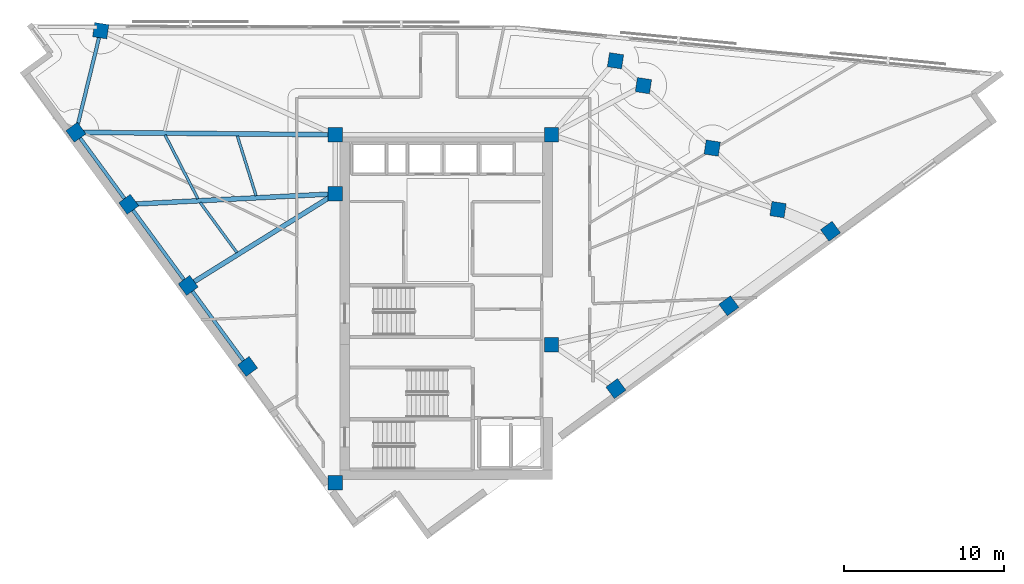
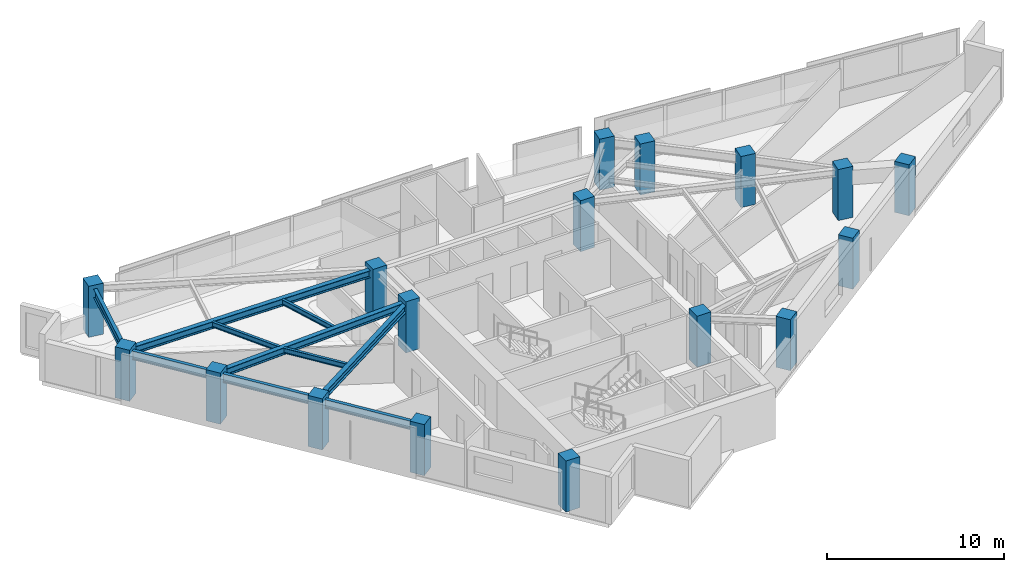
# One storey, part 1 of 13: 17 columns, 10 beams.
"""IFC4 building model written with IfcOpenShell, lengths in metres."""

import ifcopenshell
import ifcopenshell.guid

model = None  # the IFC model being written
_history = None  # IfcOwnerHistory: only IFC2X3 demands one
_inside = {}  # id of a spatial element -> (the spatial element, [elements in it])
_under = {}  # id of a project, library or spatial element -> (it, [spatial elements below it])
_declared = {}  # id of a project -> (the project, [libraries it declares])
_typed = {}  # id of a type object -> (the type object, [elements of that type])
_made_of = {}  # id of a material, layer set ... -> (it, [elements and type objects made of it])


def new_model(schema):
    """Start an empty IFC model of exactly this schema.

    Asked for "IFC4X3", IfcOpenShell would pick the latest addendum, in which some entities
    have other attributes; the version numbers below select the first issue.
    IFC2X3 requires an IfcOwnerHistory on every rooted entity: one is made here for all.
    """
    global model, _history
    if schema == "IFC4X3":
        model = ifcopenshell.file(schema_version=(4, 3, 0, 0))
    else:
        model = ifcopenshell.file(schema=schema)
    _inside.clear()
    _under.clear()
    _declared.clear()
    _typed.clear()
    _made_of.clear()
    _history = None
    if model.schema == "IFC2X3":
        org = make("IfcOrganization", Name="unknown")
        user = make(
            "IfcPersonAndOrganization",
            ThePerson=make("IfcPerson", FamilyName="unknown"),
            TheOrganization=org,
        )
        app = make(
            "IfcApplication",
            ApplicationDeveloper=org,
            Version="unknown",
            ApplicationFullName="unknown",
            ApplicationIdentifier="unknown",
        )
        _history = make(
            "IfcOwnerHistory",
            OwningUser=user,
            OwningApplication=app,
            ChangeAction="ADDED",
            CreationDate=0,
        )
    return model


def make(cls, **values):
    """One entity of the class cls with the attributes given. An attribute that is None is left unset."""
    return model.create_entity(
        cls, **{name: value for name, value in values.items() if value is not None}
    )


def rooted(cls, **values):
    """An entity with a GlobalId (a new one), such as an element, a storey or a relation."""
    return make(cls, GlobalId=ifcopenshell.guid.new(), OwnerHistory=_history, **values)


def si_unit(unit_type, name, prefix=None):
    """IfcSIUnit, for example si_unit("LENGTHUNIT", "METRE", prefix="MILLI")."""
    return make("IfcSIUnit", UnitType=unit_type, Prefix=prefix, Name=name)


def assignment(units):
    """IfcUnitAssignment: the units of a project."""
    return None if units is None else make("IfcUnitAssignment", Units=units)


def point(xyz):
    """IfcCartesianPoint."""
    return None if xyz is None else make("IfcCartesianPoint", Coordinates=xyz)


def direction(xyz):
    """IfcDirection."""
    return None if xyz is None else make("IfcDirection", DirectionRatios=xyz)


def frame(location, z_axis=None, x_axis=None):
    """IfcAxis2Placement3D, a coordinate frame: its origin and axes. An axis left out is left unset."""
    return make(
        "IfcAxis2Placement3D",
        Location=point(location),
        Axis=direction(z_axis),
        RefDirection=direction(x_axis),
    )


def frame_2d(location, x_axis=None):
    """IfcAxis2Placement2D, a coordinate frame in the plane: its origin and x axis."""
    return make(
        "IfcAxis2Placement2D", Location=point(location), RefDirection=direction(x_axis)
    )


def origin():
    """The frame at (0, 0, 0) with its axes left unset."""
    return frame((0.0, 0.0, 0.0))


def origin_2d():
    """The frame at (0, 0) in the plane with its x axis left unset."""
    return frame_2d((0.0, 0.0))


def place(relative_to, where):
    """IfcLocalPlacement: puts the frame where relative to a parent placement (None: the world)."""
    return make(
        "IfcLocalPlacement", PlacementRelTo=relative_to, RelativePlacement=where
    )


def context(
    kind, dimensions, precision=None, world=None, true_north=None, identifier=None
):
    """IfcGeometricRepresentationContext, for example the 3D "Model" context."""
    return make(
        "IfcGeometricRepresentationContext",
        ContextIdentifier=identifier,
        ContextType=kind,
        CoordinateSpaceDimension=dimensions,
        Precision=precision,
        WorldCoordinateSystem=world,
        TrueNorth=true_north,
    )


def subcontext(parent, identifier, kind, view, scale=None):
    """IfcGeometricRepresentationSubContext, for example "Body" below "Model"."""
    return make(
        "IfcGeometricRepresentationSubContext",
        ContextIdentifier=identifier,
        ContextType=kind,
        ParentContext=parent,
        TargetScale=scale,
        TargetView=view,
    )


def project(units=None, contexts=None):
    """IfcProject with its units and contexts."""
    return rooted(
        "IfcProject",
        Name="project",
        RepresentationContexts=contexts,
        UnitsInContext=assignment(units),
    )


def spatial(cls, under=None, at=None, **own):
    """A site, building, storey or space (cls), placed at a placement, below another one or the project."""
    s = rooted(cls, ObjectPlacement=at, **own)
    if under is not None:
        _under.setdefault(under.id(), (under, []))[1].append(s)
    return s


def profile(cls, at=None, kind="AREA", **sizes):
    """A parametric profile (cls). Its sizes go by their IFC names, for example OverallWidth=200.0."""
    return make(cls, ProfileType=kind, Position=at, **sizes)


def rectangle(**sizes):
    """IfcRectangleProfileDef."""
    return profile("IfcRectangleProfileDef", **sizes)


def i_section(**sizes):
    """IfcIShapeProfileDef."""
    return profile("IfcIShapeProfileDef", **sizes)


def extrude(swept, where, along, depth):
    """IfcExtrudedAreaSolid: the profile swept, set in the frame where, extruded along a direction by depth."""
    return make(
        "IfcExtrudedAreaSolid",
        SweptArea=swept,
        Position=where,
        ExtrudedDirection=direction(along),
        Depth=depth,
    )


def shape(context_of_items, identifier, shape_type, items):
    """IfcShapeRepresentation: the items that make up one representation, for example the "Body"."""
    return make(
        "IfcShapeRepresentation",
        ContextOfItems=context_of_items,
        RepresentationIdentifier=identifier,
        RepresentationType=shape_type,
        Items=items,
    )


def material(Name=None, Category=None):
    """IfcMaterial."""
    return make("IfcMaterial", Name=Name, Category=Category)


def material_profile(
    of_material, cross_section, Name=None, Category=None, Priority=None
):
    """IfcMaterialProfile: a cross section and its material."""
    return make(
        "IfcMaterialProfile",
        Name=Name,
        Material=of_material,
        Profile=cross_section,
        Priority=Priority,
        Category=Category,
    )


def profile_set(profiles, Name=None, composite=None):
    """IfcMaterialProfileSet."""
    return make(
        "IfcMaterialProfileSet",
        Name=Name,
        MaterialProfiles=profiles,
        CompositeProfile=composite,
    )


def made_of(thing, what):
    """Note that an element or type object is made of a material, layer set ...; save() writes the relation."""
    if what is not None:
        _made_of.setdefault(what.id(), (what, []))[1].append(thing)
    return thing


def type_object(cls, material=None, **own):
    """A type object (cls), such as IfcWallType, which elements share."""
    return made_of(rooted(cls, **own), material)


def element(
    cls,
    number,
    at=None,
    inside=None,
    cuts=None,
    type_object=None,
    material=None,
    context=None,
    identifier="Body",
    shape_type=None,
    held_by="IfcProductDefinitionShape",
    body=None,
    shapes=None,
    **own,
):
    """One element of the class cls, such as IfcWall. Its Tag is "e" and its number.

    at: its placement. inside: the storey or other place that contains it. cuts: it is an
    opening in that element (IfcRelVoidsElement). A single representation is given by context,
    identifier, shape_type and body (its items); several are given by shapes. held_by: the class
    of the entity that holds the representations. save() writes the other relations.
    """
    e = rooted(cls, Tag="e%d" % number, ObjectPlacement=at, **own)
    if body is not None:
        shapes = [shape(context, identifier, shape_type, body)]
    if shapes is not None:
        e.Representation = make(held_by, Representations=shapes)
    if inside is not None:
        _inside.setdefault(inside.id(), (inside, []))[1].append(e)
    if cuts is not None:
        rooted(
            "IfcRelVoidsElement", RelatingBuildingElement=cuts, RelatedOpeningElement=e
        )
    if type_object is not None:
        _typed.setdefault(type_object.id(), (type_object, []))[1].append(e)
    return made_of(e, material)


def aggregate(whole, parts):
    """IfcRelAggregates: a whole, such as a stair, and the parts it consists of."""
    return rooted("IfcRelAggregates", RelatingObject=whole, RelatedObjects=parts)


def save(model, path):
    """Write the relations noted so far, then the file.

    IfcRelAggregates (storeys below a building ...), IfcRelContainedInSpatialStructure (elements
    in a storey), IfcRelDefinesByType, IfcRelAssociatesMaterial and IfcRelDeclares: one each for
    every whole, place, type object, material and project.
    """
    for whole, parts in _under.values():
        aggregate(whole, parts)
    for where, things in _inside.values():
        rooted(
            "IfcRelContainedInSpatialStructure",
            RelatedElements=things,
            RelatingStructure=where,
        )
    for kind, things in _typed.values():
        rooted("IfcRelDefinesByType", RelatedObjects=things, RelatingType=kind)
    for what, things in _made_of.values():
        rooted("IfcRelAssociatesMaterial", RelatedObjects=things, RelatingMaterial=what)
    for by, libraries in _declared.values():
        rooted("IfcRelDeclares", RelatingContext=by, RelatedDefinitions=libraries)
    model.write(path)


model = new_model("IFC4")

# Units and contexts
model_context = context("Model", 3, precision=1e-05, world=origin(), true_north=direction((0.0, 1.0)))
body_context = subcontext(model_context, "Body", "Model", "MODEL_VIEW")
ifc_project = project(units=[si_unit("LENGTHUNIT", "METRE"), si_unit("AREAUNIT", "SQUARE_METRE"), si_unit("VOLUMEUNIT", "CUBIC_METRE"), si_unit("PLANEANGLEUNIT", "RADIAN"), si_unit("MASSUNIT", "GRAM", prefix="KILO")], contexts=[model_context])

# Site, building, storey
site_placement = place(None, origin())
site = spatial("IfcSite", under=ifc_project, at=site_placement, CompositionType="ELEMENT")
building_placement = place(site_placement, origin())
building = spatial("IfcBuilding", under=site, at=building_placement, Name="Narakoshi Arena Tower", CompositionType="ELEMENT")
storey_placement = place(building_placement, frame((0.0, 0.0, 253.699951171875)))
storey = spatial("IfcBuildingStorey", under=building, at=storey_placement, Name="L69", CompositionType="ELEMENT", Elevation=253.699951171875)

# Columns
ifc_material_1 = material(Name="Concrete C50/60", Category="concrete")
ifc_material_profile_1 = material_profile(ifc_material_1, rectangle(XDim=0.89990234375, YDim=0.89990234375, at=origin_2d()), Name="RC900x900")
ifc_profile_set_1 = profile_set([ifc_material_profile_1], Name="Concrete C50/60")
column_type = type_object("IfcColumnType", Name="COL-RC900", PredefinedType="COLUMN", material=ifc_profile_set_1)
for number, where, z_axis, x_axis, name in (
    (1, (72.0, 34.699951171875, 0.0), (0.0, 0.0, 1.0), (1.0, 0.0, 0.0), "L69 Core Structural Column CC1"),
    (2, (85.550048828125, 43.35009765625, 0.0), (0.0, 0.0, 1.0), (1.0, 0.0, 0.0), "L69 Core Structural Column CC3"),
    (3, (72.0, 52.800048828125, 0.0), (0.0, 0.0, 1.0), (1.0, 0.0, 0.0), "L69 Core Structural Column CC4"),
    (4, (72.0, 56.5, 0.0), (0.0, 0.0, 1.0), (1.0, 0.0, 0.0), "L69 Core Structural Column CC5"),
    (5, (85.550048828125, 56.5, 0.0), (0.0, 0.0, 1.0), (1.0, 0.0, 0.0), "L69 Core Structural Column CC6"),
    (6, (89.58642578125, 40.594482421875, 0.0), (0.0, 0.0, 1.0), (0.806444604267, 0.591309648364, 0.0), "L69 Tower Perimeter Column TC01"),
    (7, (96.663330078125, 45.783447265625, 0.0), (0.0, 0.0, 1.0), (0.806444604267, 0.591309648364, 0.0), "L69 Tower Perimeter Column TC02"),
    (8, (103.032470703125, 50.45361328125, 0.0), (0.0, 0.0, 1.0), (0.806444604267, 0.591309648364, 0.0), "L69 Tower Perimeter Column TC03"),
    (9, (99.74267578125, 51.80712890625, 0.0), (0.0, 0.0, 1.0), (0.15212338619, 0.988361510468, 0.0), "L69 Tower Perimeter Column TC05"),
    (10, (95.619384765625, 55.665283203125, 0.0), (0.0, 0.0, 1.0), (0.15212338619, 0.988361510468, 0.0), "L69 Tower Perimeter Column TC06"),
    (11, (91.311279296875, 59.576416015625, 0.0), (0.0, 0.0, 1.0), (0.15212338619, 0.988361510468, 0.0), "L69 Tower Perimeter Column TC07"),
    (12, (89.5615234375, 61.134765625, 0.0), (0.0, 0.0, 1.0), (0.15212338619, 0.988361510468, 0.0), "L69 Tower Perimeter Column TC08"),
    (13, (57.30908203125, 63.0205078125, 0.0), (0.0, 0.0, 1.0), (0.15212338619, 0.988361510468, 0.0), "L69 Tower Perimeter Column TC10"),
    (14, (55.75341796875, 56.654296875, 0.0), (0.0, 0.0, 1.0), (-0.591309648364, 0.806444604267, 0.0), "L69 Tower Perimeter Column TC13"),
    (15, (59.063232421875, 52.140380859375, 0.0), (0.0, 0.0, 1.0), (-0.591309648364, 0.806444604267, 0.0), "L69 Tower Perimeter Column TC14"),
    (16, (62.786865234375, 47.061767578125, 0.0), (0.0, 0.0, 1.0), (-0.591309648364, 0.806444604267, 0.0), "L69 Tower Perimeter Column TC15"),
    (17, (66.510498046875, 41.9833984375, 0.0), (0.0, 0.0, 1.0), (-0.591309648364, 0.806444604267, 0.0), "L69 Tower Perimeter Column TC16"),
):
    element("IfcColumn", number, at=place(storey_placement, frame(where, z_axis=z_axis, x_axis=x_axis)), inside=storey, type_object=column_type, Name=name, PredefinedType="COLUMN", context=body_context, shape_type="SweptSolid", body=[
        extrude(rectangle(XDim=0.89990234375, YDim=0.89990234375, at=origin_2d()), origin(), (0.0, 0.0, 1.0), 3.52001953125),
    ])

# Beams
ifc_material_2 = material(Name="Structural steel S355J2", Category="steel")
ifc_material_profile_2 = material_profile(ifc_material_2, i_section(OverallWidth=0.219970703125, OverallDepth=0.60009765625, WebThickness=0.011962890625, FlangeThickness=0.01904296875, FilletRadius=0.02392578125, at=origin_2d()), Name="IPE600")
ifc_profile_set_2 = profile_set([ifc_material_profile_2], Name="Structural steel S355J2")
beam_type_1 = type_object("IfcBeamType", Name="BM-EDGE-600", PredefinedType="BEAM", material=ifc_profile_set_2)
beam_1_placement = place(storey_placement, frame((57.30908203125, 63.0205078125, 2.9599609375), z_axis=(-0.237378097084, -0.971417335147, 0.0), x_axis=(0.971417335147, -0.237378097084, 0.0)))
element("IfcBeam", 18, at=beam_1_placement, inside=storey, type_object=beam_type_1, Name="L69 Perimeter Edge Girder 08", PredefinedType="BEAM", context=body_context, shape_type="SweptSolid", body=[
    extrude(i_section(OverallWidth=0.219970703125, OverallDepth=0.60009765625, WebThickness=0.011962890625, FlangeThickness=0.01904296875, FilletRadius=0.02392578125, at=origin_2d()), origin(), (0.0, 0.0, 1.0), 6.553466796875),
])
beam_2_placement = place(storey_placement, frame((55.75341796875, 56.654296875, 2.9599609375), z_axis=(0.591318280641, -0.806438274749, 0.0), x_axis=(0.806438274749, 0.591318280641, 0.0)))
element("IfcBeam", 19, at=beam_2_placement, inside=storey, type_object=beam_type_1, Name="L69 Perimeter Edge Girder 09", PredefinedType="BEAM", context=body_context, shape_type="SweptSolid", body=[
    extrude(i_section(OverallWidth=0.219970703125, OverallDepth=0.60009765625, WebThickness=0.011962890625, FlangeThickness=0.01904296875, FilletRadius=0.02392578125, at=origin_2d()), origin(), (0.0, 0.0, 1.0), 5.597412109375),
])
for number, where, z_axis, x_axis, name in (
    (20, (59.063232421875, 52.140380859375, 2.9599609375), (0.591293071807, -0.80645675844, 0.0), (0.80645675844, 0.591293071807, 0.0), "L69 Perimeter Edge Girder 10"),
    (21, (62.786865234375, 47.061767578125, 2.9599609375), (0.59131155895, -0.806443203364, 0.0), (0.806443203364, 0.59131155895, 0.0), "L69 Perimeter Edge Girder 11"),
):
    element("IfcBeam", number, at=place(storey_placement, frame(where, z_axis=z_axis, x_axis=x_axis)), inside=storey, type_object=beam_type_1, Name=name, PredefinedType="BEAM", context=body_context, shape_type="SweptSolid", body=[
        extrude(i_section(OverallWidth=0.219970703125, OverallDepth=0.60009765625, WebThickness=0.011962890625, FlangeThickness=0.01904296875, FilletRadius=0.02392578125, at=origin_2d()), origin(), (0.0, 0.0, 1.0), 6.29736328125),
    ])
ifc_material_profile_3 = material_profile(ifc_material_2, i_section(OverallWidth=0.300048828125, OverallDepth=0.5, WebThickness=0.014404296875, FlangeThickness=0.028076171875, FilletRadius=0.027099609375, at=origin_2d()), Name="HE500B")
ifc_profile_set_3 = profile_set([ifc_material_profile_3], Name="Structural steel S355J2")
beam_type_2 = type_object("IfcBeamType", Name="BM-PRI-500", PredefinedType="BEAM", material=ifc_profile_set_3)
beam_3_placement = place(storey_placement, frame((72.0, 56.5, 3.010009765625), z_axis=(-0.999954904742, 0.009496761636, 0.0), x_axis=(-0.009496761636, -0.999954904742, 0.0)))
element("IfcBeam", 22, at=beam_3_placement, inside=storey, type_object=beam_type_2, Name="L69 Radial Primary Floor Girder 09", PredefinedType="BEAM", context=body_context, shape_type="SweptSolid", body=[
    extrude(i_section(OverallWidth=0.300048828125, OverallDepth=0.5, WebThickness=0.014404296875, FlangeThickness=0.028076171875, FilletRadius=0.027099609375, at=origin_2d()), origin(), (0.0, 0.0, 1.0), 16.247314453125),
])
beam_4_placement = place(storey_placement, frame((72.0, 52.800048828125, 3.010009765625), z_axis=(-0.998702452309, -0.050925551079, 0.0), x_axis=(0.050925551079, -0.998702452309, 0.0)))
element("IfcBeam", 23, at=beam_4_placement, inside=storey, type_object=beam_type_2, Name="L69 Radial Primary Floor Girder 10", PredefinedType="BEAM", context=body_context, shape_type="SweptSolid", body=[
    extrude(i_section(OverallWidth=0.300048828125, OverallDepth=0.5, WebThickness=0.014404296875, FlangeThickness=0.028076171875, FilletRadius=0.027099609375, at=origin_2d()), origin(), (0.0, 0.0, 1.0), 12.95361328125),
])
beam_5_placement = place(storey_placement, frame((72.0, 52.800048828125, 3.010009765625), z_axis=(-0.848822444764, -0.528678027976, 0.0), x_axis=(0.528678027976, -0.848822444764, 0.0)))
element("IfcBeam", 24, at=beam_5_placement, inside=storey, type_object=beam_type_2, Name="L69 Radial Primary Floor Girder 11", PredefinedType="BEAM", context=body_context, shape_type="SweptSolid", body=[
    extrude(i_section(OverallWidth=0.300048828125, OverallDepth=0.5, WebThickness=0.014404296875, FlangeThickness=0.028076171875, FilletRadius=0.027099609375, at=origin_2d()), origin(), (0.0, 0.0, 1.0), 10.85400390625),
])
ifc_material_profile_4 = material_profile(ifc_material_2, i_section(OverallWidth=0.169921875, OverallDepth=0.360107421875, WebThickness=0.008056640625, FlangeThickness=0.0126953125, FilletRadius=0.01806640625, at=origin_2d()), Name="IPE360")
ifc_profile_set_4 = profile_set([ifc_material_profile_4], Name="Structural steel S355J2")
beam_type_3 = type_object("IfcBeamType", Name="BM-SEC-360", PredefinedType="JOIST", material=ifc_profile_set_4)
beam_6_placement = place(storey_placement, frame((65.86669921875, 56.429931640625, 3.080078125), z_axis=(0.299321233249, -0.954152398376, 0.0), x_axis=(0.954152398376, 0.299321233249, 0.0)))
element("IfcBeam", 25, at=beam_6_placement, inside=storey, type_object=beam_type_3, Name="L69 Composite Secondary Floor Joist 08", PredefinedType="JOIST", context=body_context, shape_type="SweptSolid", body=[
    extrude(i_section(OverallWidth=0.169921875, OverallDepth=0.360107421875, WebThickness=0.008056640625, FlangeThickness=0.0126953125, FilletRadius=0.01806640625, at=origin_2d()), origin(), (0.0, 0.0, 1.0), 3.93212890625),
])
beam_7_placement = place(storey_placement, frame((61.339111328125, 56.48193359375, 3.080078125), z_axis=(0.458232175947, -0.888832533679, 0.0), x_axis=(0.888832533679, 0.458232175947, 0.0)))
element("IfcBeam", 26, at=beam_7_placement, inside=storey, type_object=beam_type_3, Name="L69 Composite Secondary Floor Joist 09", PredefinedType="JOIST", context=body_context, shape_type="SweptSolid", body=[
    extrude(i_section(OverallWidth=0.169921875, OverallDepth=0.360107421875, WebThickness=0.008056640625, FlangeThickness=0.0126953125, FilletRadius=0.01806640625, at=origin_2d()), origin(), (0.0, 0.0, 1.0), 4.497314453125),
])
beam_8_placement = place(storey_placement, frame((63.54150390625, 52.255615234375, 3.080078125), z_axis=(0.591330981868, -0.806428961461, 0.0), x_axis=(0.806428961461, 0.591330981868, 0.0)))
element("IfcBeam", 27, at=beam_8_placement, inside=storey, type_object=beam_type_3, Name="L69 Composite Secondary Floor Joist 10", PredefinedType="JOIST", context=body_context, shape_type="SweptSolid", body=[
    extrude(i_section(OverallWidth=0.169921875, OverallDepth=0.360107421875, WebThickness=0.008056640625, FlangeThickness=0.0126953125, FilletRadius=0.01806640625, at=origin_2d()), origin(), (0.0, 0.0, 1.0), 3.88623046875),
])

save(model, "model.ifc")
